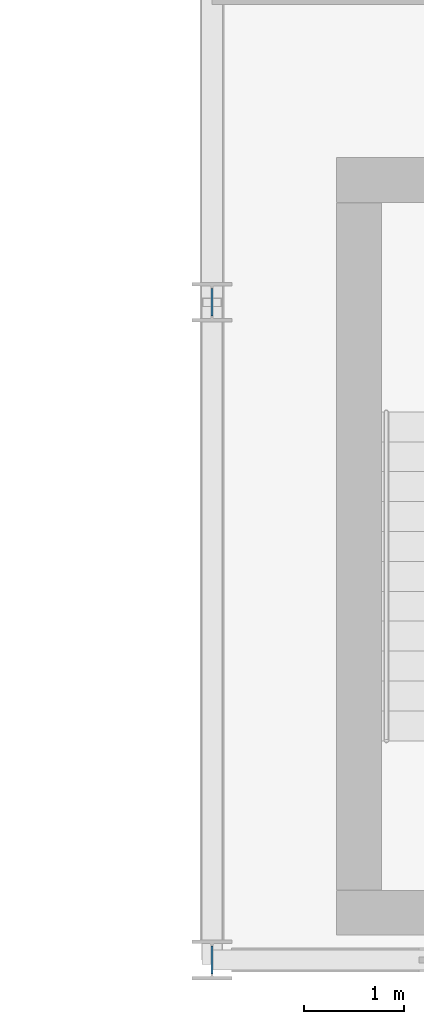
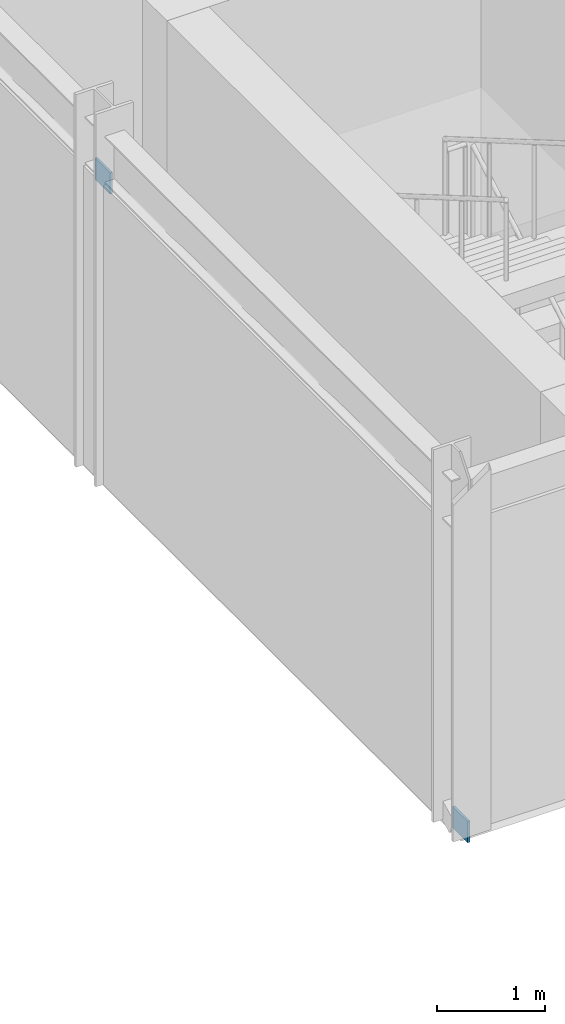
# One storey, part 115 of 147: 2 plates.
"""IFC4 building model written with IfcOpenShell, lengths in metres."""

from ifc_helpers import new_model, si_unit, direction, frame, origin, origin_2d, place, context, subcontext, project, spatial, rectangle, extrude, material, layer, layer_set, type_object, element, save


model = new_model("IFC4")

# Units and contexts
model_context = context("Model", 3, precision=1e-05, world=origin(), true_north=direction((0.0, 1.0)))
body_context = subcontext(model_context, "Body", "Model", "MODEL_VIEW")
ifc_project = project(units=[si_unit("LENGTHUNIT", "METRE"), si_unit("AREAUNIT", "SQUARE_METRE"), si_unit("VOLUMEUNIT", "CUBIC_METRE"), si_unit("PLANEANGLEUNIT", "RADIAN"), si_unit("MASSUNIT", "GRAM", prefix="KILO")], contexts=[model_context])

# Site, building, storey
site_placement = place(None, origin())
site = spatial("IfcSite", under=ifc_project, at=site_placement, CompositionType="ELEMENT")
building_placement = place(site_placement, origin())
building = spatial("IfcBuilding", under=site, at=building_placement, Name="Karori Crest Natural Sciences Institute", CompositionType="ELEMENT")
storey_placement = place(building_placement, frame((0.0, 0.0, 9.10009765625)))
storey = spatial("IfcBuildingStorey", under=building, at=storey_placement, Name="L02", CompositionType="ELEMENT", Elevation=9.10009765625)

# Plates
ifc_material = material(Name="Structural steel AS/NZS 3679.1 Grade 350", Category="steel")
ifc_layer = layer(ifc_material, 0.02490234375, Name="Structural steel AS/NZS 3679.1 Grade 350")
ifc_layer_set = layer_set([ifc_layer], Name="Structural steel AS/NZS 3679.1 Grade 350")
plate_type = type_object("IfcPlateType", Name="PLT-06-EL", PredefinedType="SHEET", material=ifc_layer_set)
for number, where, z_axis, x_axis, name in (
    (1, (103.60009765625, 0.800048828125, -0.10986328125), (0.0, 0.0, 1.0), (0.0, 1.0, 0.0), "Brace gusset plate EP-0396"),
    (2, (103.60009765625, 7.39990234375, 3.19775390625), (0.0, 0.0, 1.0), (0.0, 1.0, 0.0), "Brace gusset plate EP-0397"),
):
    element("IfcPlate", number, at=place(storey_placement, frame(where, z_axis=z_axis, x_axis=x_axis)), inside=storey, type_object=plate_type, Name=name, PredefinedType="SHEET", context=body_context, shape_type="SweptSolid", body=[
        extrude(rectangle(XDim=0.280029296875, YDim=0.02490234375, at=origin_2d()), origin(), (0.0, 0.0, 1.0), 0.239990234375),
    ])

save(model, "model.ifc")
